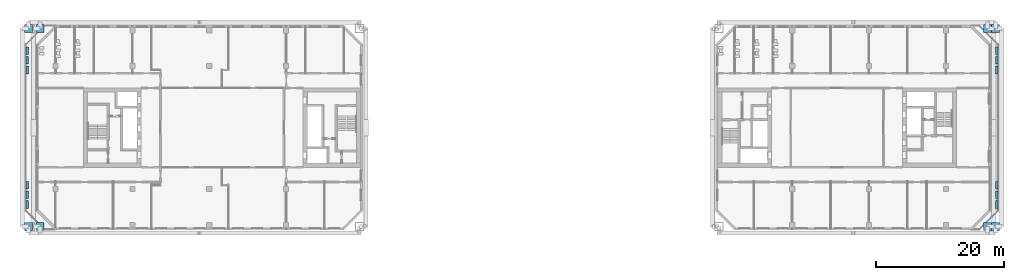
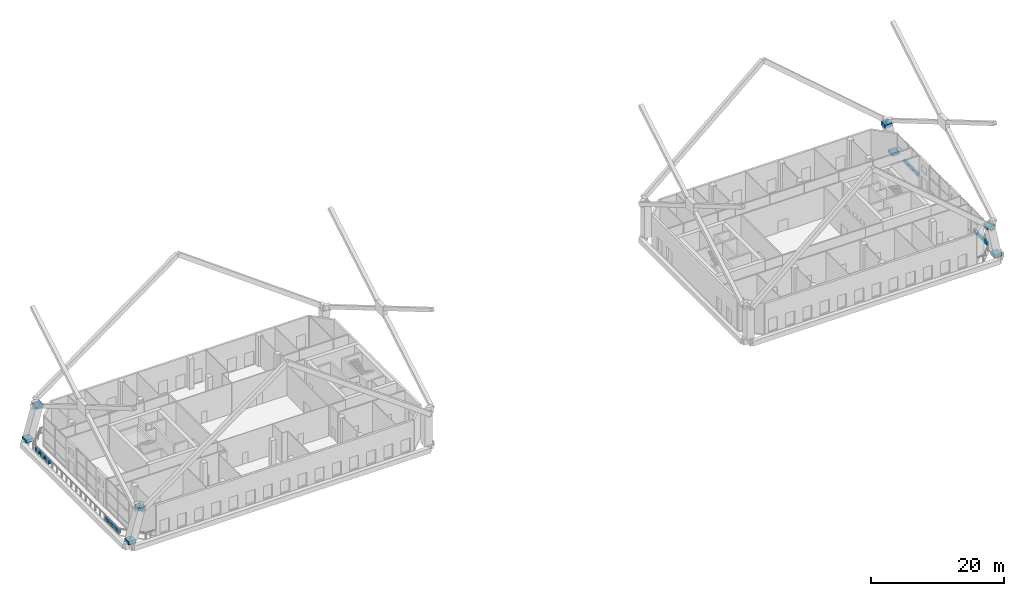
# One storey, part 17 of 20: 20 discrete accessories.
"""IFC4 building model written with IfcOpenShell, lengths in metres."""

from ifc_helpers import new_model, si_unit, direction, frame, origin, origin_2d, place, context, subcontext, project, spatial, rectangle, extrude, material, type_object, element, save


model = new_model("IFC4")

# Units and contexts
model_context = context("Model", 3, precision=1e-05, world=origin(), true_north=direction((0.0, 1.0)))
body_context = subcontext(model_context, "Body", "Model", "MODEL_VIEW")
ifc_project = project(units=[si_unit("LENGTHUNIT", "METRE"), si_unit("AREAUNIT", "SQUARE_METRE"), si_unit("VOLUMEUNIT", "CUBIC_METRE"), si_unit("PLANEANGLEUNIT", "RADIAN"), si_unit("MASSUNIT", "GRAM", prefix="KILO")], contexts=[model_context])

# Site, building, storey
site_placement = place(None, origin())
site = spatial("IfcSite", under=ifc_project, at=site_placement, CompositionType="ELEMENT")
building_placement = place(site_placement, origin())
building = spatial("IfcBuilding", under=site, at=building_placement, Name="Tuart Gate Housing", CompositionType="ELEMENT")
storey_placement = place(building_placement, frame((0.0, 0.0, 90.199951171875)))
storey = spatial("IfcBuildingStorey", under=building, at=storey_placement, Name="L25", CompositionType="ELEMENT", Elevation=90.199951171875)

# Discrete accessories
ifc_material = material(Name="Brick planter with soil", Category="masonry")
discrete_accessory_type = type_object("IfcDiscreteAccessoryType", Name="PLANTER", PredefinedType="USERDEFINED", material=ifc_material)
for number, where, z_axis, x_axis, name in (
    (1, (23.574951171875, 58.0, 0.0), (0.0, 0.0, 1.0), (1.0, 0.0, 0.0), "PLANTER"),
    (2, (23.574951171875, 59.5, 0.0), (0.0, 0.0, 1.0), (1.0, 0.0, 0.0), "PLANTER"),
    (3, (23.574951171875, 61.0, 0.0), (0.0, 0.0, 1.0), (1.0, 0.0, 0.0), "PLANTER"),
    (4, (23.574951171875, 79.0, 0.0), (0.0, 0.0, 1.0), (1.0, 0.0, 0.0), "PLANTER"),
    (5, (23.574951171875, 80.5, 0.0), (0.0, 0.0, 1.0), (1.0, 0.0, 0.0), "PLANTER"),
    (6, (23.574951171875, 82.0, 0.0), (0.0, 0.0, 1.0), (1.0, 0.0, 0.0), "PLANTER"),
    (7, (174.925048828125, 58.0, 0.0), (0.0, 0.0, 1.0), (1.0, 0.0, 0.0), "PLANTER"),
    (8, (174.925048828125, 59.5, 0.0), (0.0, 0.0, 1.0), (1.0, 0.0, 0.0), "PLANTER"),
    (9, (174.925048828125, 61.0, 0.0), (0.0, 0.0, 1.0), (1.0, 0.0, 0.0), "PLANTER"),
    (10, (174.925048828125, 79.0, 0.0), (0.0, 0.0, 1.0), (1.0, 0.0, 0.0), "PLANTER"),
    (11, (174.925048828125, 80.5, 0.0), (0.0, 0.0, 1.0), (1.0, 0.0, 0.0), "PLANTER"),
    (12, (174.925048828125, 82.0, 0.0), (0.0, 0.0, 1.0), (1.0, 0.0, 0.0), "PLANTER"),
):
    element("IfcDiscreteAccessory", number, at=place(storey_placement, frame(where, z_axis=z_axis, x_axis=x_axis)), inside=storey, type_object=discrete_accessory_type, Name=name, ObjectType="PLANTER", PredefinedType="USERDEFINED", context=body_context, shape_type="SweptSolid", body=[
        extrude(rectangle(XDim=0.35009765625, YDim=1.199951171875, at=origin_2d()), origin(), (0.0, 0.0, 1.0), 0.60009765625),
    ])
for number, where, z_axis, x_axis, name in (
    (13, (23.800048828125, 54.550048828125, 0.0), (0.0, 0.0, 1.0), (1.0, 0.0, 0.0), "Mega column node A south-west foot L25"),
    (14, (25.550048828125, 54.550048828125, 5.60009765625), (0.0, 0.0, 1.0), (1.0, 0.0, 0.0), "Mega column node A south-west head L25"),
    (15, (23.800048828125, 85.449951171875, 0.0), (0.0, 0.0, 1.0), (1.0, 0.0, 0.0), "Mega column node A north-west foot L25"),
    (16, (25.550048828125, 85.449951171875, 5.60009765625), (0.0, 0.0, 1.0), (1.0, 0.0, 0.0), "Mega column node A north-west head L25"),
    (17, (174.699951171875, 54.550048828125, 0.0), (0.0, 0.0, 1.0), (1.0, 0.0, 0.0), "Mega column node B south-east foot L25"),
    (18, (173.449951171875, 54.550048828125, 5.60009765625), (0.0, 0.0, 1.0), (1.0, 0.0, 0.0), "Mega column node B south-east head L25"),
    (19, (174.699951171875, 85.449951171875, 0.0), (0.0, 0.0, 1.0), (1.0, 0.0, 0.0), "Mega column node B north-east foot L25"),
    (20, (173.449951171875, 85.449951171875, 5.60009765625), (0.0, 0.0, 1.0), (1.0, 0.0, 0.0), "Mega column node B north-east head L25"),
):
    element("IfcDiscreteAccessory", number, at=place(storey_placement, frame(where, z_axis=z_axis, x_axis=x_axis)), inside=storey, Name=name, ObjectType="Mega column node", PredefinedType="USERDEFINED", context=body_context, shape_type="SweptSolid", body=[
        extrude(rectangle(XDim=1.248046875, YDim=1.248046875, at=origin_2d()), origin(), (0.0, 0.0, 1.0), 0.60009765625),
    ])

save(model, "model.ifc")
